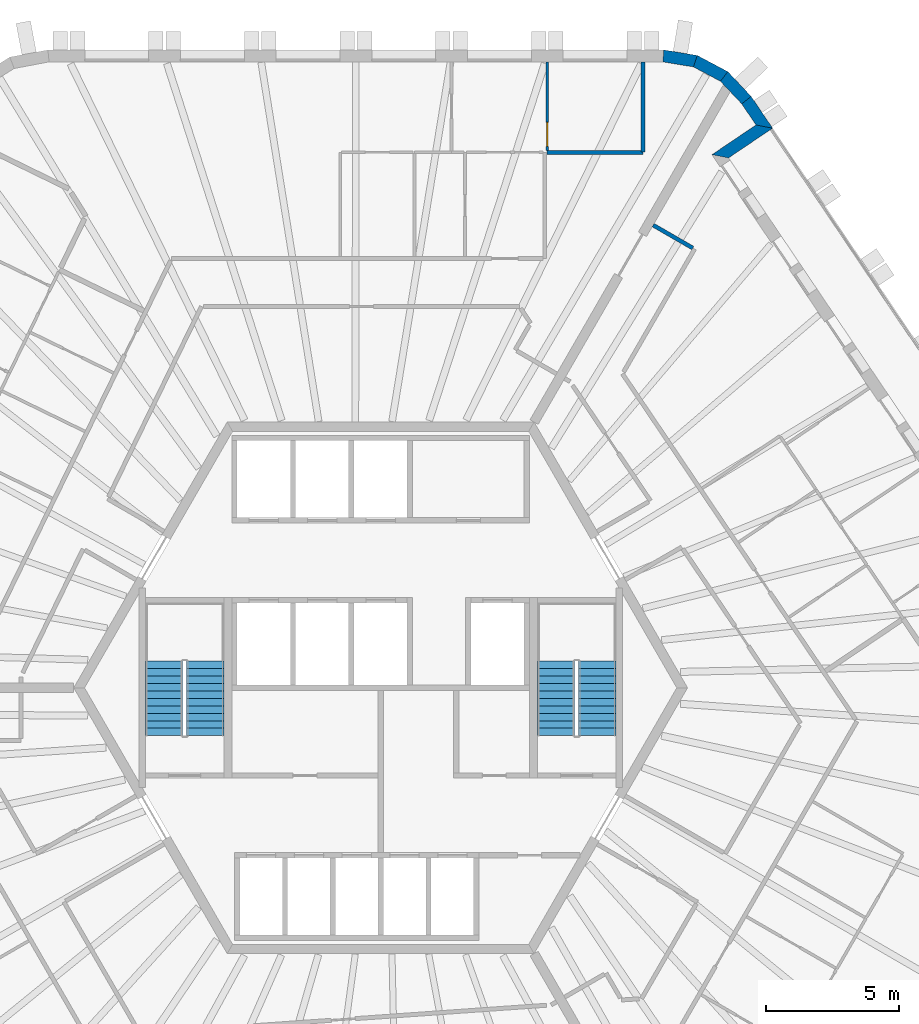
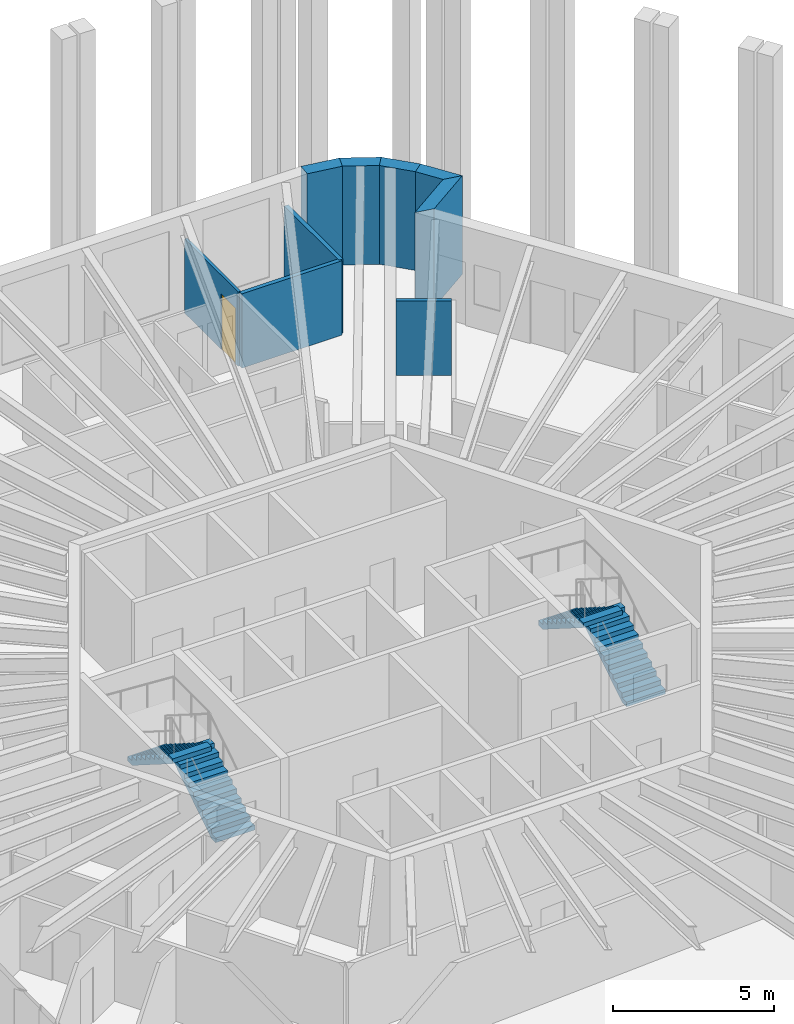
# One storey, part 10 of 12: 9 walls, 4 stair flights, 1 door, 1 opening, 2 elements without a shape of their own.
"""IFC4 building model written with IfcOpenShell, lengths in metres."""

from ifc_helpers import new_model, si_unit, direction, frame, frame_2d, origin, place, context, subcontext, project, spatial, polyline, rectangle, outline, extrude, material, layer, layer_set, type_object, element, fill, aggregate, save


model = new_model("IFC4")

# Units and contexts
model_context = context("Model", 3, precision=1e-05, world=origin(), true_north=direction((0.0, 1.0)))
body_context = subcontext(model_context, "Body", "Model", "MODEL_VIEW")
ifc_project = project(units=[si_unit("LENGTHUNIT", "METRE"), si_unit("AREAUNIT", "SQUARE_METRE"), si_unit("VOLUMEUNIT", "CUBIC_METRE"), si_unit("PLANEANGLEUNIT", "RADIAN"), si_unit("MASSUNIT", "GRAM", prefix="KILO")], contexts=[model_context])

# Site, building, storey
site_placement = place(None, origin())
site = spatial("IfcSite", under=ifc_project, at=site_placement, CompositionType="ELEMENT")
building_placement = place(site_placement, origin())
building = spatial("IfcBuilding", under=site, at=building_placement, Name="Tarnside Tower", CompositionType="ELEMENT")
storey_placement = place(building_placement, frame((0.0, 0.0, 349.5)))
storey = spatial("IfcBuildingStorey", under=building, at=storey_placement, Name="L84", CompositionType="ELEMENT", Elevation=349.5)

# Walls
ifc_material_1 = material(Name="Gypsum board partition on steel studs", Category="steel")
ifc_layer_1 = layer(ifc_material_1, 0.14990234375)
ifc_layer_set_1 = layer_set([ifc_layer_1], Name="Corridor wall 150 EI 60")
wall_type_1 = type_object("IfcWallType", Name="Corridor wall 150 EI 60", PredefinedType="PARTITIONING", material=ifc_layer_set_1)
wall_1_placement = place(storey_placement, frame((9.8671875, 20.14990234375, 0.0), z_axis=(0.0, 0.0, 1.0), x_axis=(-1.0, 0.0, 0.0)))
element("IfcWall", 1, at=wall_1_placement, inside=storey, type_object=wall_type_1, Name="Corridor wall 27006", PredefinedType="PARTITIONING", context=body_context, shape_type="SweptSolid", body=[
    extrude(rectangle(XDim=3.598876953125, YDim=0.14990234375, at=frame_2d((1.79931640625, 0.0))), origin(), (0.0, 0.0, 1.0), 2.820068359375),
])
wall_2_placement = place(storey_placement, frame((9.868408203125, 23.550048828125, 0.0), z_axis=(0.0, 0.0, 1.0), x_axis=(0.0, -1.0, 0.0)))
element("IfcWall", 2, at=wall_2_placement, inside=storey, type_object=wall_type_1, Name="Corridor wall 27007", PredefinedType="PARTITIONING", context=body_context, shape_type="SweptSolid", body=[
    extrude(rectangle(XDim=3.398681640625, YDim=0.14990234375, at=frame_2d((1.69921875, 0.0))), origin(), (0.0, 0.0, 1.0), 2.820068359375),
])
wall_3_placement = place(storey_placement, frame((11.74658203125, 16.545654296875, 0.0), z_axis=(0.0, 0.0, 1.0), x_axis=(-0.866013532718, 0.500020560727, 0.0)))
element("IfcWall", 3, at=wall_3_placement, inside=storey, type_object=wall_type_1, Name="Corridor wall 27054", PredefinedType="PARTITIONING", context=body_context, shape_type="SweptSolid", body=[
    extrude(rectangle(XDim=1.72509765625, YDim=0.14990234375, at=frame_2d((0.862548828125, 0.0))), origin(), (0.0, 0.0, 1.0), 2.820068359375),
])
ifc_material_2 = material(Name="Dark zinc cladding")
ifc_layer_2 = layer(ifc_material_2, 0.10205078125)
ifc_material_3 = material(Name="Concrete C60/75 precast", Category="concrete")
ifc_layer_3 = layer(ifc_material_3, 0.248046875)
ifc_material_4 = material(Name="Mineral wool insulation")
ifc_layer_4 = layer(ifc_material_4, 0.10009765625)
ifc_layer_set_2 = layer_set([ifc_layer_2, ifc_layer_3, ifc_layer_4], Name="Loggia wall 450 zinc faced")
wall_type_2 = type_object("IfcWallType", Name="Loggia wall 450 zinc faced", PredefinedType="SOLIDWALL", material=ifc_layer_set_2)
wall_4_placement = place(storey_placement, frame((12.77685546875, 19.997802734375, 0.0), z_axis=(0.0, 0.0, 1.0), x_axis=(0.829014217969, 0.559227526508, 0.0)))
element("IfcWall", 4, at=wall_4_placement, inside=storey, type_object=wall_type_2, Name="Tube wall L84 F6 return 31", PredefinedType="SOLIDWALL", context=body_context, shape_type="SweptSolid", body=[
    extrude(outline(polyline([(0.224853515625, -0.22509765625), (2.22509765625, -0.22509765625), (1.77490234375, 0.22509765625), (-0.224853515625, 0.22509765625), (0.224853515625, -0.22509765625)])), origin(), (0.0, 0.0, 1.0), 3.75),
])
wall_5_placement = place(storey_placement, frame((14.434814453125, 21.1162109375, 0.0), z_axis=(0.0, 0.0, 1.0), x_axis=(-0.559200218553, 0.829032638423, 0.0)))
element("IfcWall", 5, at=wall_5_placement, inside=storey, type_object=wall_type_2, Name="Tube wall L84 F6 stub 32", PredefinedType="SOLIDWALL", context=body_context, shape_type="SweptSolid", body=[
    extrude(outline(polyline([(-0.224853515625, -0.22509765625), (1.218017578125, -0.22509765625), (1.181396484375, 0.22509765625), (0.224853515625, 0.22509765625), (-0.224853515625, -0.22509765625)])), origin(), (0.0, 0.0, 1.0), 3.75),
])

# Wall, opening, door
ifc_layer_5 = layer(ifc_material_1, 0.10009765625)
ifc_layer_set_3 = layer_set([ifc_layer_5], Name="Partition 100")
wall_type_3 = type_object("IfcWallType", Name="Partition 100", PredefinedType="PARTITIONING", material=ifc_layer_set_3)
wall_6_placement = place(storey_placement, frame((6.268310546875, 23.550048828125, 0.0), z_axis=(0.0, 0.0, 1.0), x_axis=(0.0, -1.0, 0.0)))
wall_6 = element("IfcWall", 6, at=wall_6_placement, inside=storey, type_object=wall_type_3, Name="Partition wall 27082", PredefinedType="PARTITIONING", context=body_context, shape_type="SweptSolid", body=[
    extrude(rectangle(XDim=3.324951171875, YDim=0.10009765625, at=frame_2d((1.66259765625, 0.0))), origin(), (0.0, 0.0, 1.0), 2.820068359375),
])
opening_placement = place(wall_6_placement, frame((2.27490234375, 0.0, 0.0)))
opening = element("IfcOpeningElement", 7, at=opening_placement, cuts=wall_6, Name="Opening D-I1", PredefinedType="OPENING", context=body_context, shape_type="SweptSolid", body=[
    extrude(rectangle(XDim=0.89990234375, YDim=2.10009765625, at=frame_2d((0.449951171875, 1.050048828125))), frame((0.0, 0.06005859375, 0.0), z_axis=(0.0, -1.0, 0.0), x_axis=(1.0, 0.0, 0.0)), (0.0, 0.0, 1.0), 0.1201171875),
])
ifc_material_5 = material(Name="Timber door leaf", Category="wood")
door_type = type_object("IfcDoorType", Name="Internal door 900", OperationType="NOTDEFINED", PredefinedType="DOOR", material=ifc_material_5)
door_placement = place(opening_placement, origin())
door = element("IfcDoor", 8, at=door_placement, inside=storey, type_object=door_type, Name="Internal door 27008", OperationType="SINGLE_SWING_RIGHT", OverallHeight=2.10009765625, OverallWidth=0.89990234375, PredefinedType="DOOR", context=body_context, shape_type="SweptSolid", body=[
    extrude(rectangle(XDim=0.89990234375, YDim=2.10009765625, at=frame_2d((0.449951171875, 1.050048828125))), frame((0.0, 0.02490234375, 0.0), z_axis=(0.0, -1.0, 0.0), x_axis=(1.0, 0.0, 0.0)), (0.0, 0.0, 1.0), 0.050048828125),
])
fill(opening, door)

# Walls
ifc_material_6 = material(Name="Facing brick", Category="masonry")
ifc_layer_6 = layer(ifc_material_6, 0.10205078125)
ifc_layer_7 = layer(ifc_material_3, 0.248046875)
ifc_layer_8 = layer(ifc_material_4, 0.10009765625)
ifc_layer_set_4 = layer_set([ifc_layer_6, ifc_layer_7, ifc_layer_8], Name="Tube wall 450 brick faced")
wall_type_4 = type_object("IfcWallType", Name="Tube wall 450 brick faced", PredefinedType="SOLIDWALL", material=ifc_layer_set_4)
wall_7_placement = place(storey_placement, frame((13.763916015625, 22.11083984375, 0.0), z_axis=(0.0, 0.0, 1.0), x_axis=(-0.686272176549, 0.727344828603, 0.0)))
element("IfcWall", 9, at=wall_7_placement, inside=storey, type_object=wall_type_4, Name="Tube wall L84 F6 chord 33", PredefinedType="SOLIDWALL", context=body_context, shape_type="SweptSolid", body=[
    extrude(outline(polyline([(-0.018310546875, -0.22509765625), (1.261474609375, -0.22509765625), (1.187744140625, 0.22509765625), (0.018310546875, 0.22509765625), (-0.018310546875, -0.22509765625)])), origin(), (0.0, 0.0, 1.0), 3.75),
])
wall_8_placement = place(storey_placement, frame((12.923583984375, 23.00146484375, 0.0), z_axis=(0.0, 0.0, 1.0), x_axis=(-0.882898771447, 0.469563370993, 0.0)))
element("IfcWall", 10, at=wall_8_placement, inside=storey, type_object=wall_type_4, Name="Tube wall L84 F6 chord 34", PredefinedType="SOLIDWALL", context=body_context, shape_type="SweptSolid", body=[
    extrude(outline(polyline([(-0.036865234375, -0.22509765625), (1.26123046875, -0.22509765625), (1.1875, 0.22509765625), (0.036865234375, 0.22509765625), (-0.036865234375, -0.22509765625)])), origin(), (0.0, 0.0, 1.0), 3.75),
])
wall_9_placement = place(storey_placement, frame((11.842529296875, 23.576416015625, 0.0), z_axis=(0.0, 0.0, 1.0), x_axis=(-0.986773862881, 0.162102879475, 0.0)))
element("IfcWall", 11, at=wall_9_placement, inside=storey, type_object=wall_type_4, Name="Tube wall L84 F6 chord 35", PredefinedType="SOLIDWALL", context=body_context, shape_type="SweptSolid", body=[
    extrude(outline(polyline([(-0.036865234375, -0.22509765625), (1.24267578125, -0.22509765625), (1.2060546875, 0.22509765625), (0.036865234375, 0.22509765625), (-0.036865234375, -0.22509765625)])), origin(), (0.0, 0.0, 1.0), 3.75),
])

# Stair, stair flights
ifc_material_7 = material(Name="Concrete C40/50", Category="concrete")
stair_type = type_object("IfcStairType", Name="Exit stair 1400 clear", PredefinedType="HALF_TURN_STAIR", material=ifc_material_7)
stair_1_placement = place(storey_placement, origin())
stair_1 = element("IfcStair", 12, at=stair_1_placement, inside=storey, type_object=stair_type, Name="L84 Exit stair 1", PredefinedType="HALF_TURN_STAIR")
stair_flight_type = type_object("IfcStairFlightType", Name="Exit stair flight 1400", PredefinedType="STRAIGHT", material=ifc_material_7)
stair_flight_1_placement = place(storey_placement, frame((8.14990234375, -1.800048828125, 0.0), z_axis=(0.0, 0.0, 1.0), x_axis=(0.0, 1.0, 0.0)))
stair_flight_1 = element("IfcStairFlight", 13, at=stair_flight_1_placement, type_object=stair_flight_type, Name="ST1 flight 1", NumberOfRisers=11, NumberOfTreads=10, PredefinedType="STRAIGHT", RiserHeight=0.177272727, TreadLength=0.28, context=body_context, shape_type="SweptSolid", body=[
    extrude(outline(polyline([(0.0, 0.0), (0.0, 0.17724609375), (0.280029296875, 0.17724609375), (0.280029296875, 0.3544921875), (0.56005859375, 0.3544921875), (0.56005859375, 0.53173828125), (0.840087890625, 0.53173828125), (0.840087890625, 0.708984375), (1.1201171875, 0.708984375), (1.1201171875, 0.886474609375), (1.39990234375, 0.886474609375), (1.39990234375, 1.063720703125), (1.679931640625, 1.063720703125), (1.679931640625, 1.240966796875), (1.9599609375, 1.240966796875), (1.9599609375, 1.418212890625), (2.239990234375, 1.418212890625), (2.239990234375, 1.595458984375), (2.52001953125, 1.595458984375), (2.52001953125, 1.772705078125), (2.800048828125, 1.772705078125), (2.800048828125, 1.949951171875), (2.800048828125, 1.59521484375), (0.2802734375, 0.0), (0.0, 0.0)])), frame((0.0, 0.699951171875, 0.0), z_axis=(0.0, -1.0, 0.0), x_axis=(1.0, 0.0, 0.0)), (0.0, 0.0, 1.0), 1.39990234375),
])
stair_flight_2_placement = place(storey_placement, frame((6.60009765625, 1.0, 1.949951171875), z_axis=(0.0, 0.0, 1.0), x_axis=(0.0, -1.0, 0.0)))
stair_flight_2 = element("IfcStairFlight", 14, at=stair_flight_2_placement, type_object=stair_flight_type, Name="ST1 flight 2", NumberOfRisers=11, NumberOfTreads=10, PredefinedType="STRAIGHT", RiserHeight=0.177272727, TreadLength=0.28, context=body_context, shape_type="SweptSolid", body=[
    extrude(outline(polyline([(0.0, 0.0), (0.0, 0.17724609375), (0.280029296875, 0.17724609375), (0.280029296875, 0.3544921875), (0.56005859375, 0.3544921875), (0.56005859375, 0.53173828125), (0.840087890625, 0.53173828125), (0.840087890625, 0.708984375), (1.1201171875, 0.708984375), (1.1201171875, 0.886474609375), (1.39990234375, 0.886474609375), (1.39990234375, 1.063720703125), (1.679931640625, 1.063720703125), (1.679931640625, 1.240966796875), (1.9599609375, 1.240966796875), (1.9599609375, 1.418212890625), (2.239990234375, 1.418212890625), (2.239990234375, 1.595458984375), (2.52001953125, 1.595458984375), (2.52001953125, 1.772705078125), (2.800048828125, 1.772705078125), (2.800048828125, 1.949951171875), (2.800048828125, 1.59521484375), (0.2802734375, 0.0), (0.0, 0.0)])), frame((0.0, 0.699951171875, 0.0), z_axis=(0.0, -1.0, 0.0), x_axis=(1.0, 0.0, 0.0)), (0.0, 0.0, 1.0), 1.39990234375),
])
aggregate(stair_1, [stair_flight_1, stair_flight_2])

stair_2_placement = place(storey_placement, origin())
stair_2 = element("IfcStair", 15, at=stair_2_placement, inside=storey, type_object=stair_type, Name="L84 Exit stair 2", PredefinedType="HALF_TURN_STAIR")
stair_flight_3_placement = place(storey_placement, frame((-6.60009765625, -1.800048828125, 0.0), z_axis=(0.0, 0.0, 1.0), x_axis=(0.0, 1.0, 0.0)))
stair_flight_3 = element("IfcStairFlight", 16, at=stair_flight_3_placement, type_object=stair_flight_type, Name="ST2 flight 1", NumberOfRisers=11, NumberOfTreads=10, PredefinedType="STRAIGHT", RiserHeight=0.177272727, TreadLength=0.28, context=body_context, shape_type="SweptSolid", body=[
    extrude(outline(polyline([(0.0, 0.0), (0.0, 0.17724609375), (0.280029296875, 0.17724609375), (0.280029296875, 0.3544921875), (0.56005859375, 0.3544921875), (0.56005859375, 0.53173828125), (0.840087890625, 0.53173828125), (0.840087890625, 0.708984375), (1.1201171875, 0.708984375), (1.1201171875, 0.886474609375), (1.39990234375, 0.886474609375), (1.39990234375, 1.063720703125), (1.679931640625, 1.063720703125), (1.679931640625, 1.240966796875), (1.9599609375, 1.240966796875), (1.9599609375, 1.418212890625), (2.239990234375, 1.418212890625), (2.239990234375, 1.595458984375), (2.52001953125, 1.595458984375), (2.52001953125, 1.772705078125), (2.800048828125, 1.772705078125), (2.800048828125, 1.949951171875), (2.800048828125, 1.59521484375), (0.2802734375, 0.0), (0.0, 0.0)])), frame((0.0, 0.699951171875, 0.0), z_axis=(0.0, -1.0, 0.0), x_axis=(1.0, 0.0, 0.0)), (0.0, 0.0, 1.0), 1.39990234375),
])
stair_flight_4_placement = place(storey_placement, frame((-8.14990234375, 1.0, 1.949951171875), z_axis=(0.0, 0.0, 1.0), x_axis=(0.0, -1.0, 0.0)))
stair_flight_4 = element("IfcStairFlight", 17, at=stair_flight_4_placement, type_object=stair_flight_type, Name="ST2 flight 2", NumberOfRisers=11, NumberOfTreads=10, PredefinedType="STRAIGHT", RiserHeight=0.177272727, TreadLength=0.28, context=body_context, shape_type="SweptSolid", body=[
    extrude(outline(polyline([(0.0, 0.0), (0.0, 0.17724609375), (0.280029296875, 0.17724609375), (0.280029296875, 0.3544921875), (0.56005859375, 0.3544921875), (0.56005859375, 0.53173828125), (0.840087890625, 0.53173828125), (0.840087890625, 0.708984375), (1.1201171875, 0.708984375), (1.1201171875, 0.886474609375), (1.39990234375, 0.886474609375), (1.39990234375, 1.063720703125), (1.679931640625, 1.063720703125), (1.679931640625, 1.240966796875), (1.9599609375, 1.240966796875), (1.9599609375, 1.418212890625), (2.239990234375, 1.418212890625), (2.239990234375, 1.595458984375), (2.52001953125, 1.595458984375), (2.52001953125, 1.772705078125), (2.800048828125, 1.772705078125), (2.800048828125, 1.949951171875), (2.800048828125, 1.59521484375), (0.2802734375, 0.0), (0.0, 0.0)])), frame((0.0, 0.699951171875, 0.0), z_axis=(0.0, -1.0, 0.0), x_axis=(1.0, 0.0, 0.0)), (0.0, 0.0, 1.0), 1.39990234375),
])
aggregate(stair_2, [stair_flight_3, stair_flight_4])

save(model, "model.ifc")
